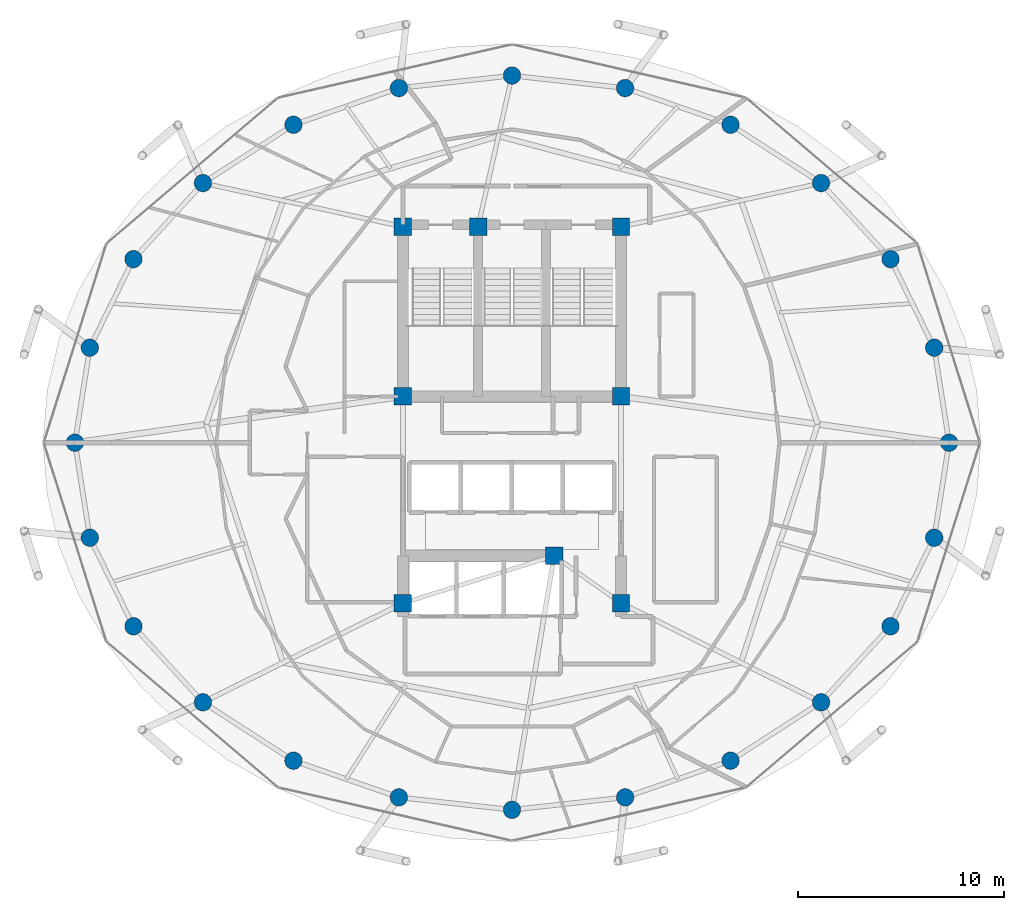
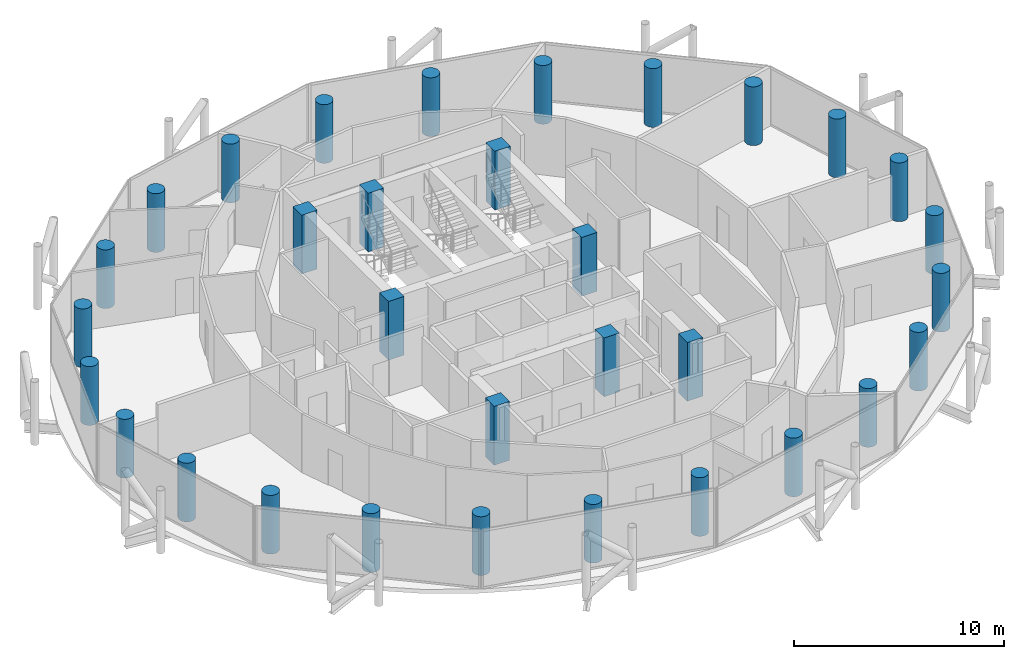
# One storey, part 1 of 27: 32 columns.
"""IFC4 building model written with IfcOpenShell, lengths in metres."""

from ifc_helpers import new_model, si_unit, direction, frame, origin, origin_2d, place, context, subcontext, project, spatial, rectangle, circle, extrude, material, material_profile, profile_set, type_object, element, save


model = new_model("IFC4")

# Units and contexts
model_context = context("Model", 3, precision=1e-05, world=origin(), true_north=direction((0.0, 1.0)))
body_context = subcontext(model_context, "Body", "Model", "MODEL_VIEW")
ifc_project = project(units=[si_unit("LENGTHUNIT", "METRE"), si_unit("AREAUNIT", "SQUARE_METRE"), si_unit("VOLUMEUNIT", "CUBIC_METRE"), si_unit("PLANEANGLEUNIT", "RADIAN"), si_unit("MASSUNIT", "GRAM", prefix="KILO")], contexts=[model_context])

# Site, building, storey
site_placement = place(None, origin())
site = spatial("IfcSite", under=ifc_project, at=site_placement, CompositionType="ELEMENT")
building_placement = place(site_placement, origin())
building = spatial("IfcBuilding", under=site, at=building_placement, Name="Nuhasar Tower", CompositionType="ELEMENT")
storey_placement = place(building_placement, frame((0.0, 0.0, 219.10009765625)))
storey = spatial("IfcBuildingStorey", under=building, at=storey_placement, Name="L53", CompositionType="ELEMENT", Elevation=219.10009765625)

# Columns
ifc_material = material(Name="Concrete C55/67", Category="concrete")
ifc_material_profile_1 = material_profile(ifc_material, circle(Radius=0.425048828125, at=origin_2d()), Name="CFT850")
ifc_profile_set_1 = profile_set([ifc_material_profile_1], Name="Concrete C55/67")
column_type_1 = type_object("IfcColumnType", Name="COL-CFT-850", PredefinedType="COLUMN", material=ifc_profile_set_1)
for number, where, z_axis, x_axis, name in (
    (1, (60.25, 26.800048828125, 0.0), (0.0, 0.0, 1.0), (1.0, 0.0, 0.0), "L53 Perimeter Composite Column TC-01"),
    (2, (59.52587890625, 31.419921875, 0.0), (0.0, 0.0, 1.0), (1.0, 0.0, 0.0), "L53 Perimeter Composite Column TC-02"),
    (3, (57.403076171875, 35.72509765625, 0.0), (0.0, 0.0, 1.0), (1.0, 0.0, 0.0), "L53 Perimeter Composite Column TC-03"),
    (4, (54.02587890625, 39.422119140625, 0.0), (0.0, 0.0, 1.0), (1.0, 0.0, 0.0), "L53 Perimeter Composite Column TC-04"),
    (5, (49.625, 42.259033203125, 0.0), (0.0, 0.0, 1.0), (1.0, 0.0, 0.0), "L53 Perimeter Composite Column TC-05"),
    (6, (44.5, 44.0419921875, 0.0), (0.0, 0.0, 1.0), (1.0, 0.0, 0.0), "L53 Perimeter Composite Column TC-06"),
    (7, (39.0, 44.64990234375, 0.0), (0.0, 0.0, 1.0), (1.0, 0.0, 0.0), "L53 Perimeter Composite Column TC-07"),
    (8, (33.5, 44.0419921875, 0.0), (0.0, 0.0, 1.0), (1.0, 0.0, 0.0), "L53 Perimeter Composite Column TC-08"),
    (9, (28.375, 42.259033203125, 0.0), (0.0, 0.0, 1.0), (1.0, 0.0, 0.0), "L53 Perimeter Composite Column TC-09"),
    (10, (23.97412109375, 39.422119140625, 0.0), (0.0, 0.0, 1.0), (1.0, 0.0, 0.0), "L53 Perimeter Composite Column TC-10"),
    (11, (20.596923828125, 35.72509765625, 0.0), (0.0, 0.0, 1.0), (1.0, 0.0, 0.0), "L53 Perimeter Composite Column TC-11"),
    (12, (18.47412109375, 31.419921875, 0.0), (0.0, 0.0, 1.0), (1.0, 0.0, 0.0), "L53 Perimeter Composite Column TC-12"),
    (13, (17.75, 26.800048828125, 0.0), (0.0, 0.0, 1.0), (1.0, 0.0, 0.0), "L53 Perimeter Composite Column TC-13"),
    (14, (18.47412109375, 22.179931640625, 0.0), (0.0, 0.0, 1.0), (1.0, 0.0, 0.0), "L53 Perimeter Composite Column TC-14"),
    (15, (20.596923828125, 17.875, 0.0), (0.0, 0.0, 1.0), (1.0, 0.0, 0.0), "L53 Perimeter Composite Column TC-15"),
    (16, (23.97412109375, 14.177978515625, 0.0), (0.0, 0.0, 1.0), (1.0, 0.0, 0.0), "L53 Perimeter Composite Column TC-16"),
    (17, (28.375, 11.341064453125, 0.0), (0.0, 0.0, 1.0), (1.0, 0.0, 0.0), "L53 Perimeter Composite Column TC-17"),
    (18, (33.5, 9.55810546875, 0.0), (0.0, 0.0, 1.0), (1.0, 0.0, 0.0), "L53 Perimeter Composite Column TC-18"),
    (19, (39.0, 8.949951171875, 0.0), (0.0, 0.0, 1.0), (1.0, 0.0, 0.0), "L53 Perimeter Composite Column TC-19"),
    (20, (44.5, 9.55810546875, 0.0), (0.0, 0.0, 1.0), (1.0, 0.0, 0.0), "L53 Perimeter Composite Column TC-20"),
    (21, (49.625, 11.341064453125, 0.0), (0.0, 0.0, 1.0), (1.0, 0.0, 0.0), "L53 Perimeter Composite Column TC-21"),
    (22, (54.02587890625, 14.177978515625, 0.0), (0.0, 0.0, 1.0), (1.0, 0.0, 0.0), "L53 Perimeter Composite Column TC-22"),
    (23, (57.403076171875, 17.875, 0.0), (0.0, 0.0, 1.0), (1.0, 0.0, 0.0), "L53 Perimeter Composite Column TC-23"),
    (24, (59.52587890625, 22.179931640625, 0.0), (0.0, 0.0, 1.0), (1.0, 0.0, 0.0), "L53 Perimeter Composite Column TC-24"),
):
    element("IfcColumn", number, at=place(storey_placement, frame(where, z_axis=z_axis, x_axis=x_axis)), inside=storey, type_object=column_type_1, Name=name, PredefinedType="COLUMN", context=body_context, shape_type="SweptSolid", body=[
        extrude(circle(Radius=0.425048828125, at=origin_2d()), origin(), (0.0, 0.0, 1.0), 3.409912109375),
    ])
ifc_material_profile_2 = material_profile(ifc_material, rectangle(XDim=0.85009765625, YDim=0.85009765625, at=origin_2d()), Name="RC850X850")
ifc_profile_set_2 = profile_set([ifc_material_profile_2], Name="Concrete C55/67")
column_type_2 = type_object("IfcColumnType", Name="PIL-RC-850", PredefinedType="PILASTER", material=ifc_profile_set_2)
for number, where, z_axis, x_axis, name in (
    (25, (33.699951171875, 19.0, 0.0), (0.0, 0.0, 1.0), (1.0, 0.0, 0.0), "L53 Core Boundary Pilaster CC-01"),
    (26, (41.050048828125, 21.300048828125, 0.0), (0.0, 0.0, 1.0), (1.0, 0.0, 0.0), "L53 Core Boundary Pilaster CC-02"),
    (27, (44.300048828125, 19.0, 0.0), (0.0, 0.0, 1.0), (1.0, 0.0, 0.0), "L53 Core Boundary Pilaster CC-03"),
    (28, (44.300048828125, 29.050048828125, 0.0), (0.0, 0.0, 1.0), (1.0, 0.0, 0.0), "L53 Core Boundary Pilaster CC-04"),
    (29, (44.300048828125, 37.300048828125, 0.0), (0.0, 0.0, 1.0), (1.0, 0.0, 0.0), "L53 Core Boundary Pilaster CC-05"),
    (30, (37.35009765625, 37.300048828125, 0.0), (0.0, 0.0, 1.0), (1.0, 0.0, 0.0), "L53 Core Boundary Pilaster CC-06"),
    (31, (33.699951171875, 37.300048828125, 0.0), (0.0, 0.0, 1.0), (1.0, 0.0, 0.0), "L53 Core Boundary Pilaster CC-07"),
    (32, (33.699951171875, 29.050048828125, 0.0), (0.0, 0.0, 1.0), (1.0, 0.0, 0.0), "L53 Core Boundary Pilaster CC-08"),
):
    element("IfcColumn", number, at=place(storey_placement, frame(where, z_axis=z_axis, x_axis=x_axis)), inside=storey, type_object=column_type_2, Name=name, PredefinedType="PILASTER", context=body_context, shape_type="SweptSolid", body=[
        extrude(rectangle(XDim=0.85009765625, YDim=0.85009765625, at=origin_2d()), origin(), (0.0, 0.0, 1.0), 3.409912109375),
    ])

save(model, "model.ifc")
